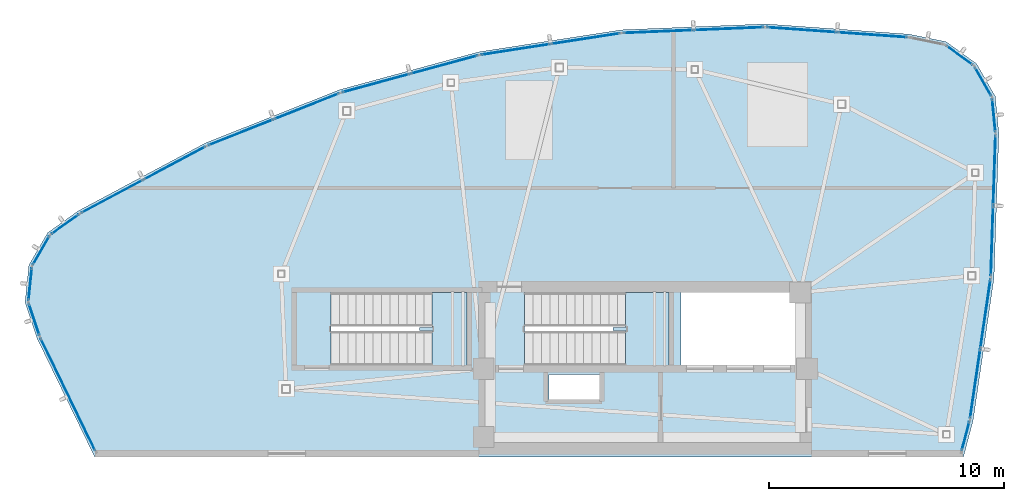
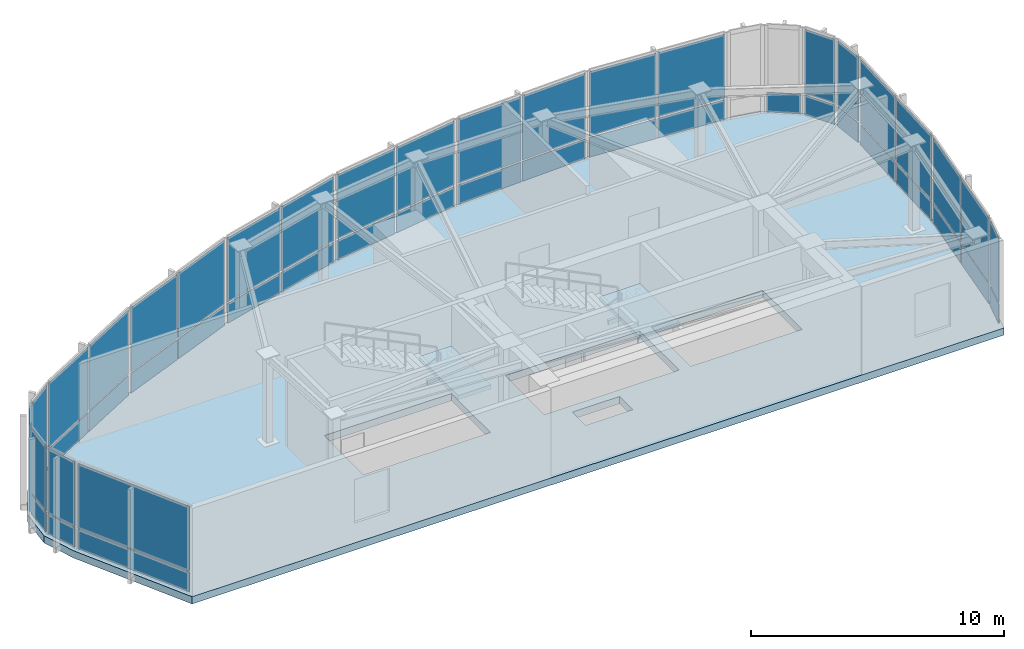
# One storey, part 5 of 10: 49 plates, 3 slabs, 19 elements without a shape of their own.
"""IFC4 building model written with IfcOpenShell, lengths in metres."""

from ifc_helpers import new_model, si_unit, direction, frame, origin, origin_2d, place, context, subcontext, project, spatial, polyline, rectangle, outline, extrude, source, transform, mapped, material, layer, layer_set, type_object, type_shapes, element, aggregate, save


model = new_model("IFC4")

# Units and contexts
model_context = context("Model", 3, precision=1e-05, world=origin(), true_north=direction((0.0, 1.0)))
body_context = subcontext(model_context, "Body", "Model", "MODEL_VIEW")
ifc_project = project(units=[si_unit("LENGTHUNIT", "METRE"), si_unit("AREAUNIT", "SQUARE_METRE"), si_unit("VOLUMEUNIT", "CUBIC_METRE"), si_unit("PLANEANGLEUNIT", "RADIAN"), si_unit("MASSUNIT", "GRAM", prefix="KILO")], contexts=[model_context])

# Site, building, storey
site_placement = place(None, origin())
site = spatial("IfcSite", under=ifc_project, at=site_placement, CompositionType="ELEMENT")
building_placement = place(site_placement, origin())
building = spatial("IfcBuilding", under=site, at=building_placement, Name="Tavelor Broadcast Tower", CompositionType="ELEMENT")
storey_placement = place(building_placement, frame((0.0, 0.0, 355.10009765625)))
storey = spatial("IfcBuildingStorey", under=building, at=storey_placement, Name="L84", CompositionType="ELEMENT", Elevation=355.10009765625)

# Slab
ifc_material_1 = material(Name="Concrete C40/50", Category="concrete")
ifc_layer_1 = layer(ifc_material_1, 0.35009765625)
ifc_layer_set_1 = layer_set([ifc_layer_1], Name="Concrete C40/50")
slab_type_1 = type_object("IfcSlabType", Name="Podium Structural Floor Slab 350 mm", PredefinedType="FLOOR", material=ifc_layer_set_1)
slab_1_placement = place(storey_placement, frame((0.0, 0.0, -0.35009765625)))
element("IfcSlab", 1, at=slab_1_placement, inside=storey, type_object=slab_type_1, Name="L84 Crown Peak A Floor Slab", PredefinedType="FLOOR", context=body_context, shape_type="SweptSolid", body=[
    extrude(outline(polyline([(26.531494140625, 44.199951171875), (63.558349609375, 44.199951171875), (63.966064453125, 45.74462890625), (64.858642578125, 51.825439453125), (65.064697265625, 57.968017578125), (64.909912109375, 59.560791015625), (64.11328125, 60.948974609375), (62.81591796875, 61.886474609375), (61.247802734375, 62.206787109375), (55.117431640625, 62.64404296875), (48.9765625, 62.391845703125), (42.902587890625, 61.453369140625), (36.97216796875, 59.84033203125), (31.259765625, 57.572998046875), (25.837158203125, 54.679931640625), (24.534912109375, 53.74951171875), (23.731201171875, 52.365478515625), (23.568115234375, 50.7734375), (24.074462890625, 49.255126953125), (26.531494140625, 44.199951171875)]), holes=[polyline([(48.050048828125, 47.699951171875), (48.050048828125, 46.64990234375), (45.89990234375, 46.64990234375), (45.89990234375, 47.699951171875), (48.050048828125, 47.699951171875)]), polyline([(42.39599609375, 51.196044921875), (42.39599609375, 48.10400390625), (36.60400390625, 48.10400390625), (36.60400390625, 51.196044921875), (42.39599609375, 51.196044921875)]), polyline([(50.99609375, 51.196044921875), (50.99609375, 48.10400390625), (44.85400390625, 48.10400390625), (44.85400390625, 51.196044921875), (50.99609375, 51.196044921875)]), polyline([(56.60009765625, 51.199951171875), (56.60009765625, 48.10009765625), (51.52001953125, 48.10009765625), (51.52001953125, 51.199951171875), (56.60009765625, 51.199951171875)])]), origin(), (0.0, 0.0, 1.0), 0.35009765625),
])

# Stair, slab
stair_type = type_object("IfcStairType", Name="Reinforced Concrete Protected Dogleg Stair 1450 mm", PredefinedType="HALF_TURN_STAIR", material=ifc_material_1)
stair_1_placement = place(storey_placement, origin())
stair_1 = element("IfcStair", 2, at=stair_1_placement, inside=storey, type_object=stair_type, Name="L84 Protected Core Exit Stair ST1", PredefinedType="HALF_TURN_STAIR")
ifc_layer_2 = layer(ifc_material_1, 0.199951171875)
ifc_layer_set_2 = layer_set([ifc_layer_2], Name="Concrete C40/50")
slab_type_2 = type_object("IfcSlabType", Name="Reinforced Concrete Stair Half-Landing Slab 200 mm", PredefinedType="LANDING", material=ifc_layer_set_2)
slab_2_placement = place(storey_placement, frame((0.0, 0.0, 2.099853515625)))
slab_2 = element("IfcSlab", 3, at=slab_2_placement, type_object=slab_type_2, Name="ST1 landing 1", PredefinedType="LANDING", context=body_context, shape_type="SweptSolid", body=[
    extrude(outline(polyline([(49.1650390625, 49.590087890625), (49.1650390625, 48.094970703125), (51.0048828125, 48.094970703125), (51.0048828125, 51.205078125), (49.1650390625, 51.205078125), (49.1650390625, 49.7099609375), (48.625, 49.7099609375), (48.625, 49.590087890625), (49.1650390625, 49.590087890625)])), origin(), (0.0, 0.0, 1.0), 0.199951171875),
])
aggregate(stair_1, [slab_2])

stair_2_placement = place(storey_placement, origin())
stair_2 = element("IfcStair", 4, at=stair_2_placement, inside=storey, type_object=stair_type, Name="L84 Crown Peak A Plant Stair ST5", PredefinedType="HALF_TURN_STAIR")
slab_3_placement = place(storey_placement, frame((0.0, 0.0, 2.099853515625)))
slab_3 = element("IfcSlab", 5, at=slab_3_placement, type_object=slab_type_2, Name="ST5 landing 1", PredefinedType="LANDING", context=body_context, shape_type="SweptSolid", body=[
    extrude(outline(polyline([(40.9150390625, 49.590087890625), (40.9150390625, 48.094970703125), (42.405029296875, 48.094970703125), (42.405029296875, 51.205078125), (40.9150390625, 51.205078125), (40.9150390625, 49.7099609375), (40.375, 49.7099609375), (40.375, 49.590087890625), (40.9150390625, 49.590087890625)])), origin(), (0.0, 0.0, 1.0), 0.199951171875),
])
aggregate(stair_2, [slab_3])

# Curtain wall, plates
ifc_material_2 = material(Name="Architectural Anodized Aluminium", Category="aluminium")
ifc_layer_3 = layer(ifc_material_2, 0.2099609375)
ifc_layer_set_3 = layer_set([ifc_layer_3], Name="Architectural Anodized Aluminium")
curtain_wall_type = type_object("IfcCurtainWallType", Name="Split-Crown Beacon Curtain Wall CW06", PredefinedType="NOTDEFINED", material=ifc_layer_set_3)
curtain_wall_1_placement = place(storey_placement, origin())
curtain_wall_1 = element("IfcCurtainWall", 6, at=curtain_wall_1_placement, inside=storey, type_object=curtain_wall_type, Name="L84 Curtain Wall CW06 Run 991", PredefinedType="NOTDEFINED")
ifc_material_3 = material(Name="Dichroic Solar Laminated Glazing 34 mm", Category="glass")
ifc_layer_4 = layer(ifc_material_3, 0.033935546875)
ifc_layer_set_4 = layer_set([ifc_layer_4], Name="Dichroic Solar Laminated Glazing 34 mm")
plate_type = type_object("IfcPlateType", Name="CW06 Insulated Vision Glazing Panel 34 mm", PredefinedType="CURTAIN_PANEL", material=ifc_layer_set_4)
shared_shape_1 = source(origin(), body_context, "Body", "SweptSolid", [
    extrude(rectangle(XDim=2.94140625, YDim=0.033935546875, at=origin_2d()), origin(), (0.0, 0.0, 1.0), 0.94189453125),
])
plate_1_placement = place(storey_placement, frame((64.771240234375, 53.394775390625, 0.072021484375), z_axis=(0.0, 0.0, 1.0), x_axis=(0.033513547637, 0.999438263288, 0.0)))
plate_1 = element("IfcPlate", 7, at=plate_1_placement, type_object=plate_type, Name="CW06 panel 1.1", PredefinedType="CURTAIN_PANEL", context=body_context, shape_type="MappedRepresentation", body=[
    mapped(shared_shape_1, transform((0.0, 0.0, 0.0), scale=1.0)),
])
plate_2_placement = place(storey_placement, frame((64.872314453125, 56.406494140625, 0.072021484375), z_axis=(0.0, 0.0, 1.0), x_axis=(0.033513547637, 0.999438263288, 0.0)))
plate_2 = element("IfcPlate", 8, at=plate_2_placement, type_object=plate_type, Name="CW06 panel 2.1", PredefinedType="CURTAIN_PANEL", context=body_context, shape_type="MappedRepresentation", body=[
    mapped(shared_shape_1, transform((0.0, 0.0, 0.0), scale=1.0)),
])

curtain_wall_2_placement = place(storey_placement, origin())
curtain_wall_2 = element("IfcCurtainWall", 9, at=curtain_wall_2_placement, inside=storey, type_object=curtain_wall_type, Name="L84 Curtain Wall CW06 Run 996", PredefinedType="NOTDEFINED")
plate_3_placement = place(storey_placement, frame((59.675048828125, 62.1787109375, 0.072021484375), z_axis=(0.0, 0.0, 1.0), x_axis=(-0.997466184869, 0.071142181875, 0.0)))
plate_3 = element("IfcPlate", 10, at=plate_3_placement, type_object=plate_type, Name="CW06 panel 1.1", PredefinedType="CURTAIN_PANEL", context=body_context, shape_type="MappedRepresentation", body=[
    mapped(shared_shape_1, transform((0.0, 0.0, 0.0), scale=1.0)),
])
plate_4_placement = place(storey_placement, frame((56.669189453125, 62.39306640625, 0.072021484375), z_axis=(0.0, 0.0, 1.0), x_axis=(-0.997466184869, 0.071142181875, 0.0)))
plate_4 = element("IfcPlate", 11, at=plate_4_placement, type_object=plate_type, Name="CW06 panel 2.1", PredefinedType="CURTAIN_PANEL", context=body_context, shape_type="MappedRepresentation", body=[
    mapped(shared_shape_1, transform((0.0, 0.0, 0.0), scale=1.0)),
])

curtain_wall_3_placement = place(storey_placement, origin())
curtain_wall_3 = element("IfcCurtainWall", 12, at=curtain_wall_3_placement, inside=storey, type_object=curtain_wall_type, Name="L84 Curtain Wall CW06 Run 1001", PredefinedType="NOTDEFINED")
plate_5_placement = place(storey_placement, frame((29.9443359375, 56.71240234375, 0.072021484375), z_axis=(0.0, 0.0, 1.0), x_axis=(-0.882286213561, -0.470713328216, 0.0)))
plate_5 = element("IfcPlate", 13, at=plate_5_placement, type_object=plate_type, Name="CW06 panel 1.1", PredefinedType="CURTAIN_PANEL", context=body_context, shape_type="MappedRepresentation", body=[
    mapped(shared_shape_1, transform((0.0, 0.0, 0.0), scale=1.0)),
])
plate_6_placement = place(storey_placement, frame((27.285400390625, 55.2939453125, 0.072021484375), z_axis=(0.0, 0.0, 1.0), x_axis=(-0.882286213561, -0.470713328216, 0.0)))
plate_6 = element("IfcPlate", 14, at=plate_6_placement, type_object=plate_type, Name="CW06 panel 2.1", PredefinedType="CURTAIN_PANEL", context=body_context, shape_type="MappedRepresentation", body=[
    mapped(shared_shape_1, transform((0.0, 0.0, 0.0), scale=1.0)),
])

# Plate
shared_shape_2 = source(origin(), body_context, "Body", "SweptSolid", [
    extrude(rectangle(XDim=2.94140625, YDim=0.033935546875, at=origin_2d()), origin(), (0.0, 0.0, 1.0), 3.092041015625),
])
plate_7_placement = place(storey_placement, frame((64.771240234375, 53.394775390625, 1.0859375), z_axis=(0.0, 0.0, 1.0), x_axis=(0.033513547637, 0.999438263288, 0.0)))
plate_7 = element("IfcPlate", 15, at=plate_7_placement, type_object=plate_type, Name="CW06 panel 1.2", PredefinedType="CURTAIN_PANEL", context=body_context, shape_type="MappedRepresentation", body=[
    mapped(shared_shape_2, transform((0.0, 0.0, 0.0), scale=1.0)),
])

plate_8_placement = place(storey_placement, frame((64.872314453125, 56.406494140625, 1.0859375), z_axis=(0.0, 0.0, 1.0), x_axis=(0.033513547637, 0.999438263288, 0.0)))
plate_8 = element("IfcPlate", 16, at=plate_8_placement, type_object=plate_type, Name="CW06 panel 2.2", PredefinedType="CURTAIN_PANEL", context=body_context, shape_type="MappedRepresentation", body=[
    mapped(shared_shape_2, transform((0.0, 0.0, 0.0), scale=1.0)),
])

aggregate(curtain_wall_1, [plate_1, plate_7, plate_2, plate_8])

plate_9_placement = place(storey_placement, frame((59.675048828125, 62.1787109375, 1.0859375), z_axis=(0.0, 0.0, 1.0), x_axis=(-0.997466184869, 0.071142181875, 0.0)))
plate_9 = element("IfcPlate", 17, at=plate_9_placement, type_object=plate_type, Name="CW06 panel 1.2", PredefinedType="CURTAIN_PANEL", context=body_context, shape_type="MappedRepresentation", body=[
    mapped(shared_shape_2, transform((0.0, 0.0, 0.0), scale=1.0)),
])

plate_10_placement = place(storey_placement, frame((56.669189453125, 62.39306640625, 1.0859375), z_axis=(0.0, 0.0, 1.0), x_axis=(-0.997466184869, 0.071142181875, 0.0)))
plate_10 = element("IfcPlate", 18, at=plate_10_placement, type_object=plate_type, Name="CW06 panel 2.2", PredefinedType="CURTAIN_PANEL", context=body_context, shape_type="MappedRepresentation", body=[
    mapped(shared_shape_2, transform((0.0, 0.0, 0.0), scale=1.0)),
])

aggregate(curtain_wall_2, [plate_3, plate_9, plate_4, plate_10])

plate_11_placement = place(storey_placement, frame((29.9443359375, 56.71240234375, 1.0859375), z_axis=(0.0, 0.0, 1.0), x_axis=(-0.882286213561, -0.470713328216, 0.0)))
plate_11 = element("IfcPlate", 19, at=plate_11_placement, type_object=plate_type, Name="CW06 panel 1.2", PredefinedType="CURTAIN_PANEL", context=body_context, shape_type="MappedRepresentation", body=[
    mapped(shared_shape_2, transform((0.0, 0.0, 0.0), scale=1.0)),
])

plate_12_placement = place(storey_placement, frame((27.285400390625, 55.2939453125, 1.0859375), z_axis=(0.0, 0.0, 1.0), x_axis=(-0.882286213561, -0.470713328216, 0.0)))
plate_12 = element("IfcPlate", 20, at=plate_12_placement, type_object=plate_type, Name="CW06 panel 2.2", PredefinedType="CURTAIN_PANEL", context=body_context, shape_type="MappedRepresentation", body=[
    mapped(shared_shape_2, transform((0.0, 0.0, 0.0), scale=1.0)),
])

aggregate(curtain_wall_3, [plate_5, plate_11, plate_6, plate_12])

# Curtain wall, plate
curtain_wall_4_placement = place(storey_placement, origin())
curtain_wall_4 = element("IfcCurtainWall", 21, at=curtain_wall_4_placement, inside=storey, type_object=curtain_wall_type, Name="L84 Curtain Wall CW06 Run 992", PredefinedType="NOTDEFINED")
shared_shape_3 = source(origin(), body_context, "Body", "SweptSolid", [
    extrude(rectangle(XDim=1.38720703125, YDim=0.033935546875, at=origin_2d()), origin(), (0.0, 0.0, 1.0), 0.94189453125),
])
plate_13_placement = place(storey_placement, frame((64.848876953125, 58.740478515625, 0.072021484375), z_axis=(0.0, 0.0, 1.0), x_axis=(-0.096722842222, 0.995311354196, 0.0)))
plate_13 = element("IfcPlate", 22, at=plate_13_placement, type_object=plate_type, Name="CW06 panel 1.1", PredefinedType="CURTAIN_PANEL", context=body_context, shape_type="MappedRepresentation", body=[
    mapped(shared_shape_3, transform((0.0, 0.0, 0.0), scale=1.0)),
])

curtain_wall_5_placement = place(storey_placement, origin())
curtain_wall_5 = element("IfcCurtainWall", 23, at=curtain_wall_5_placement, inside=storey, type_object=curtain_wall_type, Name="L84 Curtain Wall CW06 Run 1002", PredefinedType="NOTDEFINED")
plate_14_placement = place(storey_placement, frame((25.27587890625, 54.10693359375, 0.072021484375), z_axis=(0.0, 0.0, 1.0), x_axis=(-0.813596656634, -0.581429686474, 0.0)))
plate_14 = element("IfcPlate", 24, at=plate_14_placement, type_object=plate_type, Name="CW06 panel 1.1", PredefinedType="CURTAIN_PANEL", context=body_context, shape_type="MappedRepresentation", body=[
    mapped(shared_shape_3, transform((0.0, 0.0, 0.0), scale=1.0)),
])

curtain_wall_6_placement = place(storey_placement, origin())
curtain_wall_6 = element("IfcCurtainWall", 25, at=curtain_wall_6_placement, inside=storey, type_object=curtain_wall_type, Name="L84 Curtain Wall CW06 Run 1005", PredefinedType="NOTDEFINED")
plate_15_placement = place(storey_placement, frame((23.95751953125, 50.048583984375, 0.072021484375), z_axis=(0.0, 0.0, 1.0), x_axis=(0.316482455738, -0.948598363487, 0.0)))
plate_15 = element("IfcPlate", 26, at=plate_15_placement, type_object=plate_type, Name="CW06 panel 1.1", PredefinedType="CURTAIN_PANEL", context=body_context, shape_type="MappedRepresentation", body=[
    mapped(shared_shape_3, transform((0.0, 0.0, 0.0), scale=1.0)),
])

# Plate
shared_shape_4 = source(origin(), body_context, "Body", "SweptSolid", [
    extrude(rectangle(XDim=1.38720703125, YDim=0.033935546875, at=origin_2d()), origin(), (0.0, 0.0, 1.0), 3.092041015625),
])
plate_16_placement = place(storey_placement, frame((64.848876953125, 58.740478515625, 1.0859375), z_axis=(0.0, 0.0, 1.0), x_axis=(-0.096722842222, 0.995311354196, 0.0)))
plate_16 = element("IfcPlate", 27, at=plate_16_placement, type_object=plate_type, Name="CW06 panel 1.2", PredefinedType="CURTAIN_PANEL", context=body_context, shape_type="MappedRepresentation", body=[
    mapped(shared_shape_4, transform((0.0, 0.0, 0.0), scale=1.0)),
])

aggregate(curtain_wall_4, [plate_13, plate_16])

plate_17_placement = place(storey_placement, frame((25.27587890625, 54.10693359375, 1.0859375), z_axis=(0.0, 0.0, 1.0), x_axis=(-0.813596656634, -0.581429686474, 0.0)))
plate_17 = element("IfcPlate", 28, at=plate_17_placement, type_object=plate_type, Name="CW06 panel 1.2", PredefinedType="CURTAIN_PANEL", context=body_context, shape_type="MappedRepresentation", body=[
    mapped(shared_shape_4, transform((0.0, 0.0, 0.0), scale=1.0)),
])

aggregate(curtain_wall_5, [plate_14, plate_17])

plate_18_placement = place(storey_placement, frame((23.95751953125, 50.048583984375, 1.0859375), z_axis=(0.0, 0.0, 1.0), x_axis=(0.316482455738, -0.948598363487, 0.0)))
plate_18 = element("IfcPlate", 29, at=plate_18_placement, type_object=plate_type, Name="CW06 panel 1.2", PredefinedType="CURTAIN_PANEL", context=body_context, shape_type="MappedRepresentation", body=[
    mapped(shared_shape_4, transform((0.0, 0.0, 0.0), scale=1.0)),
])

aggregate(curtain_wall_6, [plate_15, plate_18])

# Curtain wall, plate
curtain_wall_7_placement = place(storey_placement, origin())
curtain_wall_7 = element("IfcCurtainWall", 30, at=curtain_wall_7_placement, inside=storey, type_object=curtain_wall_type, Name="L84 Curtain Wall CW06 Run 993", PredefinedType="NOTDEFINED")
shared_shape_5 = source(origin(), body_context, "Body", "SweptSolid", [
    extrude(rectangle(XDim=1.3662109375, YDim=0.033935546875, at=origin_2d()), origin(), (0.0, 0.0, 1.0), 0.94189453125),
])
plate_19_placement = place(storey_placement, frame((64.39013671875, 60.185302734375, 0.072021484375), z_axis=(0.0, 0.0, 1.0), x_axis=(-0.497756838905, 0.867316625762, 0.0)))
plate_19 = element("IfcPlate", 31, at=plate_19_placement, type_object=plate_type, Name="CW06 panel 1.1", PredefinedType="CURTAIN_PANEL", context=body_context, shape_type="MappedRepresentation", body=[
    mapped(shared_shape_5, transform((0.0, 0.0, 0.0), scale=1.0)),
])

curtain_wall_8_placement = place(storey_placement, origin())
curtain_wall_8 = element("IfcCurtainWall", 32, at=curtain_wall_8_placement, inside=storey, type_object=curtain_wall_type, Name="L84 Curtain Wall CW06 Run 994", PredefinedType="NOTDEFINED")
plate_20_placement = place(storey_placement, frame((63.382568359375, 61.30419921875, 0.072021484375), z_axis=(0.0, 0.0, 1.0), x_axis=(-0.810544761221, 0.585676694138, 0.0)))
plate_20 = element("IfcPlate", 33, at=plate_20_placement, type_object=plate_type, Name="CW06 panel 1.1", PredefinedType="CURTAIN_PANEL", context=body_context, shape_type="MappedRepresentation", body=[
    mapped(shared_shape_5, transform((0.0, 0.0, 0.0), scale=1.0)),
])
aggregate(curtain_wall_8, [plate_20])

curtain_wall_9_placement = place(storey_placement, origin())
curtain_wall_9 = element("IfcCurtainWall", 34, at=curtain_wall_9_placement, inside=storey, type_object=curtain_wall_type, Name="L84 Curtain Wall CW06 Run 1003", PredefinedType="NOTDEFINED")
plate_21_placement = place(storey_placement, frame((24.254150390625, 52.9873046875, 0.072021484375), z_axis=(0.0, 0.0, 1.0), x_axis=(-0.502330397094, -0.864675761286, 0.0)))
plate_21 = element("IfcPlate", 35, at=plate_21_placement, type_object=plate_type, Name="CW06 panel 1.1", PredefinedType="CURTAIN_PANEL", context=body_context, shape_type="MappedRepresentation", body=[
    mapped(shared_shape_5, transform((0.0, 0.0, 0.0), scale=1.0)),
])

curtain_wall_10_placement = place(storey_placement, origin())
curtain_wall_10 = element("IfcCurtainWall", 36, at=curtain_wall_10_placement, inside=storey, type_object=curtain_wall_type, Name="L84 Curtain Wall CW06 Run 1004", PredefinedType="NOTDEFINED")
plate_22_placement = place(storey_placement, frame((23.788818359375, 51.55517578125, 0.072021484375), z_axis=(0.0, 0.0, 1.0), x_axis=(-0.101902856201, -0.994794354577, 0.0)))
plate_22 = element("IfcPlate", 37, at=plate_22_placement, type_object=plate_type, Name="CW06 panel 1.1", PredefinedType="CURTAIN_PANEL", context=body_context, shape_type="MappedRepresentation", body=[
    mapped(shared_shape_5, transform((0.0, 0.0, 0.0), scale=1.0)),
])

# Plate
shared_shape_6 = source(origin(), body_context, "Body", "SweptSolid", [
    extrude(rectangle(XDim=1.3662109375, YDim=0.033935546875, at=origin_2d()), origin(), (0.0, 0.0, 1.0), 3.092041015625),
])
plate_23_placement = place(storey_placement, frame((64.39013671875, 60.185302734375, 1.0859375), z_axis=(0.0, 0.0, 1.0), x_axis=(-0.497756838905, 0.867316625762, 0.0)))
plate_23 = element("IfcPlate", 38, at=plate_23_placement, type_object=plate_type, Name="CW06 panel 1.2", PredefinedType="CURTAIN_PANEL", context=body_context, shape_type="MappedRepresentation", body=[
    mapped(shared_shape_6, transform((0.0, 0.0, 0.0), scale=1.0)),
])

aggregate(curtain_wall_7, [plate_19, plate_23])

plate_24_placement = place(storey_placement, frame((24.254150390625, 52.9873046875, 1.0859375), z_axis=(0.0, 0.0, 1.0), x_axis=(-0.502330397094, -0.864675761286, 0.0)))
plate_24 = element("IfcPlate", 39, at=plate_24_placement, type_object=plate_type, Name="CW06 panel 1.2", PredefinedType="CURTAIN_PANEL", context=body_context, shape_type="MappedRepresentation", body=[
    mapped(shared_shape_6, transform((0.0, 0.0, 0.0), scale=1.0)),
])

aggregate(curtain_wall_9, [plate_21, plate_24])

plate_25_placement = place(storey_placement, frame((23.788818359375, 51.55517578125, 1.0859375), z_axis=(0.0, 0.0, 1.0), x_axis=(-0.101902856201, -0.994794354577, 0.0)))
plate_25 = element("IfcPlate", 40, at=plate_25_placement, type_object=plate_type, Name="CW06 panel 1.2", PredefinedType="CURTAIN_PANEL", context=body_context, shape_type="MappedRepresentation", body=[
    mapped(shared_shape_6, transform((0.0, 0.0, 0.0), scale=1.0)),
])

aggregate(curtain_wall_10, [plate_22, plate_25])

# Curtain wall, plates
curtain_wall_11_placement = place(storey_placement, origin())
curtain_wall_11 = element("IfcCurtainWall", 41, at=curtain_wall_11_placement, inside=storey, type_object=curtain_wall_type, Name="L84 Curtain Wall CW06 Run 990", PredefinedType="NOTDEFINED")
shared_shape_7 = source(origin(), body_context, "Body", "SweptSolid", [
    extrude(rectangle(XDim=2.942138671875, YDim=0.033935546875, at=origin_2d()), origin(), (0.0, 0.0, 1.0), 0.94189453125),
])
plate_26_placement = place(storey_placement, frame((64.054931640625, 47.314208984375, 0.072021484375), z_axis=(0.0, 0.0, 1.0), x_axis=(0.145257545382, 0.989393877841, 0.0)))
plate_26 = element("IfcPlate", 42, at=plate_26_placement, type_object=plate_type, Name="CW06 panel 1.1", PredefinedType="CURTAIN_PANEL", context=body_context, shape_type="MappedRepresentation", body=[
    mapped(shared_shape_7, transform((0.0, 0.0, 0.0), scale=1.0)),
])
plate_27_placement = place(storey_placement, frame((64.49267578125, 50.29638671875, 0.072021484375), z_axis=(0.0, 0.0, 1.0), x_axis=(0.145257545382, 0.989393877841, 0.0)))
plate_27 = element("IfcPlate", 43, at=plate_27_placement, type_object=plate_type, Name="CW06 panel 2.1", PredefinedType="CURTAIN_PANEL", context=body_context, shape_type="MappedRepresentation", body=[
    mapped(shared_shape_7, transform((0.0, 0.0, 0.0), scale=1.0)),
])

curtain_wall_12_placement = place(storey_placement, origin())
curtain_wall_12 = element("IfcCurtainWall", 44, at=curtain_wall_12_placement, inside=storey, type_object=curtain_wall_type, Name="L84 Curtain Wall CW06 Run 997", PredefinedType="NOTDEFINED")
plate_28_placement = place(storey_placement, frame((53.55859375, 62.43994140625, 0.072021484375), z_axis=(0.0, 0.0, 1.0), x_axis=(-0.999157893674, -0.041030519226, 0.0)))
plate_28 = element("IfcPlate", 45, at=plate_28_placement, type_object=plate_type, Name="CW06 panel 1.1", PredefinedType="CURTAIN_PANEL", context=body_context, shape_type="MappedRepresentation", body=[
    mapped(shared_shape_7, transform((0.0, 0.0, 0.0), scale=1.0)),
])
plate_29_placement = place(storey_placement, frame((50.546875, 62.31640625, 0.072021484375), z_axis=(0.0, 0.0, 1.0), x_axis=(-0.999157893674, -0.041030519226, 0.0)))
plate_29 = element("IfcPlate", 46, at=plate_29_placement, type_object=plate_type, Name="CW06 panel 2.1", PredefinedType="CURTAIN_PANEL", context=body_context, shape_type="MappedRepresentation", body=[
    mapped(shared_shape_7, transform((0.0, 0.0, 0.0), scale=1.0)),
])

curtain_wall_13_placement = place(storey_placement, origin())
curtain_wall_13 = element("IfcCurtainWall", 47, at=curtain_wall_13_placement, inside=storey, type_object=curtain_wall_type, Name="L84 Curtain Wall CW06 Run 998", PredefinedType="NOTDEFINED")
plate_30_placement = place(storey_placement, frame((47.450439453125, 62.014404296875, 0.072021484375), z_axis=(0.0, 0.0, 1.0), x_axis=(-0.988270279529, -0.15271494557, 0.0)))
plate_30 = element("IfcPlate", 48, at=plate_30_placement, type_object=plate_type, Name="CW06 panel 1.1", PredefinedType="CURTAIN_PANEL", context=body_context, shape_type="MappedRepresentation", body=[
    mapped(shared_shape_7, transform((0.0, 0.0, 0.0), scale=1.0)),
])
plate_31_placement = place(storey_placement, frame((44.4716796875, 61.553955078125, 0.072021484375), z_axis=(0.0, 0.0, 1.0), x_axis=(-0.988270279529, -0.15271494557, 0.0)))
plate_31 = element("IfcPlate", 49, at=plate_31_placement, type_object=plate_type, Name="CW06 panel 2.1", PredefinedType="CURTAIN_PANEL", context=body_context, shape_type="MappedRepresentation", body=[
    mapped(shared_shape_7, transform((0.0, 0.0, 0.0), scale=1.0)),
])

curtain_wall_14_placement = place(storey_placement, origin())
curtain_wall_14 = element("IfcCurtainWall", 50, at=curtain_wall_14_placement, inside=storey, type_object=curtain_wall_type, Name="L84 Curtain Wall CW06 Run 999", PredefinedType="NOTDEFINED")
plate_32_placement = place(storey_placement, frame((41.428466796875, 60.9072265625, 0.072021484375), z_axis=(0.0, 0.0, 1.0), x_axis=(-0.964945927984, -0.262448768463, 0.0)))
plate_32 = element("IfcPlate", 51, at=plate_32_placement, type_object=plate_type, Name="CW06 panel 1.1", PredefinedType="CURTAIN_PANEL", context=body_context, shape_type="MappedRepresentation", body=[
    mapped(shared_shape_7, transform((0.0, 0.0, 0.0), scale=1.0)),
])
plate_33_placement = place(storey_placement, frame((38.52001953125, 60.1162109375, 0.072021484375), z_axis=(0.0, 0.0, 1.0), x_axis=(-0.964945927984, -0.262448768463, 0.0)))
plate_33 = element("IfcPlate", 52, at=plate_33_placement, type_object=plate_type, Name="CW06 panel 2.1", PredefinedType="CURTAIN_PANEL", context=body_context, shape_type="MappedRepresentation", body=[
    mapped(shared_shape_7, transform((0.0, 0.0, 0.0), scale=1.0)),
])

curtain_wall_15_placement = place(storey_placement, origin())
curtain_wall_15 = element("IfcCurtainWall", 53, at=curtain_wall_15_placement, inside=storey, type_object=curtain_wall_type, Name="L84 Curtain Wall CW06 Run 1000", PredefinedType="NOTDEFINED")
plate_34_placement = place(storey_placement, frame((35.568359375, 59.132568359375, 0.072021484375), z_axis=(0.0, 0.0, 1.0), x_axis=(-0.9294682292, -0.368902169833, 0.0)))
plate_34 = element("IfcPlate", 54, at=plate_34_placement, type_object=plate_type, Name="CW06 panel 1.1", PredefinedType="CURTAIN_PANEL", context=body_context, shape_type="MappedRepresentation", body=[
    mapped(shared_shape_7, transform((0.0, 0.0, 0.0), scale=1.0)),
])
plate_35_placement = place(storey_placement, frame((32.766845703125, 58.0205078125, 0.072021484375), z_axis=(0.0, 0.0, 1.0), x_axis=(-0.9294682292, -0.368902169833, 0.0)))
plate_35 = element("IfcPlate", 55, at=plate_35_placement, type_object=plate_type, Name="CW06 panel 2.1", PredefinedType="CURTAIN_PANEL", context=body_context, shape_type="MappedRepresentation", body=[
    mapped(shared_shape_7, transform((0.0, 0.0, 0.0), scale=1.0)),
])

# Plate
shared_shape_8 = source(origin(), body_context, "Body", "SweptSolid", [
    extrude(rectangle(XDim=2.942138671875, YDim=0.033935546875, at=origin_2d()), origin(), (0.0, 0.0, 1.0), 3.092041015625),
])
plate_36_placement = place(storey_placement, frame((64.054931640625, 47.314208984375, 1.0859375), z_axis=(0.0, 0.0, 1.0), x_axis=(0.145257545382, 0.989393877841, 0.0)))
plate_36 = element("IfcPlate", 56, at=plate_36_placement, type_object=plate_type, Name="CW06 panel 1.2", PredefinedType="CURTAIN_PANEL", context=body_context, shape_type="MappedRepresentation", body=[
    mapped(shared_shape_8, transform((0.0, 0.0, 0.0), scale=1.0)),
])

plate_37_placement = place(storey_placement, frame((64.49267578125, 50.29638671875, 1.0859375), z_axis=(0.0, 0.0, 1.0), x_axis=(0.145257545382, 0.989393877841, 0.0)))
plate_37 = element("IfcPlate", 57, at=plate_37_placement, type_object=plate_type, Name="CW06 panel 2.2", PredefinedType="CURTAIN_PANEL", context=body_context, shape_type="MappedRepresentation", body=[
    mapped(shared_shape_8, transform((0.0, 0.0, 0.0), scale=1.0)),
])

aggregate(curtain_wall_11, [plate_26, plate_36, plate_27, plate_37])

plate_38_placement = place(storey_placement, frame((53.55859375, 62.43994140625, 1.0859375), z_axis=(0.0, 0.0, 1.0), x_axis=(-0.999157893674, -0.041030519226, 0.0)))
plate_38 = element("IfcPlate", 58, at=plate_38_placement, type_object=plate_type, Name="CW06 panel 1.2", PredefinedType="CURTAIN_PANEL", context=body_context, shape_type="MappedRepresentation", body=[
    mapped(shared_shape_8, transform((0.0, 0.0, 0.0), scale=1.0)),
])

plate_39_placement = place(storey_placement, frame((50.546875, 62.31640625, 1.0859375), z_axis=(0.0, 0.0, 1.0), x_axis=(-0.999157893674, -0.041030519226, 0.0)))
plate_39 = element("IfcPlate", 59, at=plate_39_placement, type_object=plate_type, Name="CW06 panel 2.2", PredefinedType="CURTAIN_PANEL", context=body_context, shape_type="MappedRepresentation", body=[
    mapped(shared_shape_8, transform((0.0, 0.0, 0.0), scale=1.0)),
])

aggregate(curtain_wall_12, [plate_28, plate_38, plate_29, plate_39])

plate_40_placement = place(storey_placement, frame((47.450439453125, 62.014404296875, 1.0859375), z_axis=(0.0, 0.0, 1.0), x_axis=(-0.988270279529, -0.15271494557, 0.0)))
plate_40 = element("IfcPlate", 60, at=plate_40_placement, type_object=plate_type, Name="CW06 panel 1.2", PredefinedType="CURTAIN_PANEL", context=body_context, shape_type="MappedRepresentation", body=[
    mapped(shared_shape_8, transform((0.0, 0.0, 0.0), scale=1.0)),
])

plate_41_placement = place(storey_placement, frame((44.4716796875, 61.553955078125, 1.0859375), z_axis=(0.0, 0.0, 1.0), x_axis=(-0.988270279529, -0.15271494557, 0.0)))
plate_41 = element("IfcPlate", 61, at=plate_41_placement, type_object=plate_type, Name="CW06 panel 2.2", PredefinedType="CURTAIN_PANEL", context=body_context, shape_type="MappedRepresentation", body=[
    mapped(shared_shape_8, transform((0.0, 0.0, 0.0), scale=1.0)),
])

aggregate(curtain_wall_13, [plate_30, plate_40, plate_31, plate_41])

plate_42_placement = place(storey_placement, frame((41.428466796875, 60.9072265625, 1.0859375), z_axis=(0.0, 0.0, 1.0), x_axis=(-0.964945927984, -0.262448768463, 0.0)))
plate_42 = element("IfcPlate", 62, at=plate_42_placement, type_object=plate_type, Name="CW06 panel 1.2", PredefinedType="CURTAIN_PANEL", context=body_context, shape_type="MappedRepresentation", body=[
    mapped(shared_shape_8, transform((0.0, 0.0, 0.0), scale=1.0)),
])

plate_43_placement = place(storey_placement, frame((38.52001953125, 60.1162109375, 1.0859375), z_axis=(0.0, 0.0, 1.0), x_axis=(-0.964945927984, -0.262448768463, 0.0)))
plate_43 = element("IfcPlate", 63, at=plate_43_placement, type_object=plate_type, Name="CW06 panel 2.2", PredefinedType="CURTAIN_PANEL", context=body_context, shape_type="MappedRepresentation", body=[
    mapped(shared_shape_8, transform((0.0, 0.0, 0.0), scale=1.0)),
])

aggregate(curtain_wall_14, [plate_32, plate_42, plate_33, plate_43])

plate_44_placement = place(storey_placement, frame((35.568359375, 59.132568359375, 1.0859375), z_axis=(0.0, 0.0, 1.0), x_axis=(-0.9294682292, -0.368902169833, 0.0)))
plate_44 = element("IfcPlate", 64, at=plate_44_placement, type_object=plate_type, Name="CW06 panel 1.2", PredefinedType="CURTAIN_PANEL", context=body_context, shape_type="MappedRepresentation", body=[
    mapped(shared_shape_8, transform((0.0, 0.0, 0.0), scale=1.0)),
])

plate_45_placement = place(storey_placement, frame((32.766845703125, 58.0205078125, 1.0859375), z_axis=(0.0, 0.0, 1.0), x_axis=(-0.9294682292, -0.368902169833, 0.0)))
plate_45 = element("IfcPlate", 65, at=plate_45_placement, type_object=plate_type, Name="CW06 panel 2.2", PredefinedType="CURTAIN_PANEL", context=body_context, shape_type="MappedRepresentation", body=[
    mapped(shared_shape_8, transform((0.0, 0.0, 0.0), scale=1.0)),
])

aggregate(curtain_wall_15, [plate_34, plate_44, plate_35, plate_45])

# Curtain wall, plates
curtain_wall_16_placement = place(storey_placement, origin())
curtain_wall_16 = element("IfcCurtainWall", 66, at=curtain_wall_16_placement, inside=storey, type_object=curtain_wall_type, Name="L84 Curtain Wall CW06 Run 989", PredefinedType="NOTDEFINED")
shared_shape_9 = source(origin(), body_context, "Body", "SweptSolid", [
    extrude(rectangle(XDim=1.24267578125, YDim=0.033935546875, at=origin_2d()), origin(), (0.0, 0.0, 1.0), 0.94189453125),
])
plate_46_placement = place(storey_placement, frame((63.64794921875, 45.087890625, 0.072021484375), z_axis=(0.0, 0.0, 1.0), x_axis=(0.255206696964, 0.966886519621, 0.0)))
plate_46 = element("IfcPlate", 67, at=plate_46_placement, type_object=plate_type, Name="CW06 panel 1.1", PredefinedType="CURTAIN_PANEL", context=body_context, shape_type="MappedRepresentation", body=[
    mapped(shared_shape_9, transform((0.0, 0.0, 0.0), scale=1.0)),
])
shared_shape_10 = source(origin(), body_context, "Body", "SweptSolid", [
    extrude(rectangle(XDim=1.24267578125, YDim=0.033935546875, at=origin_2d()), origin(), (0.0, 0.0, 1.0), 3.092041015625),
])
plate_47_placement = place(storey_placement, frame((63.64794921875, 45.087890625, 1.0859375), z_axis=(0.0, 0.0, 1.0), x_axis=(0.255206696964, 0.966886519621, 0.0)))
plate_47 = element("IfcPlate", 68, at=plate_47_placement, type_object=plate_type, Name="CW06 panel 1.2", PredefinedType="CURTAIN_PANEL", context=body_context, shape_type="MappedRepresentation", body=[
    mapped(shared_shape_10, transform((0.0, 0.0, 0.0), scale=1.0)),
])
aggregate(curtain_wall_16, [plate_46, plate_47])

curtain_wall_17_placement = place(storey_placement, origin())
curtain_wall_17 = element("IfcCurtainWall", 69, at=curtain_wall_17_placement, inside=storey, type_object=curtain_wall_type, Name="L84 Curtain Wall CW06 Run 1006", PredefinedType="NOTDEFINED")
shared_shape_11 = source(origin(), body_context, "Body", "SweptSolid", [
    extrude(rectangle(XDim=5.284912109375, YDim=0.033935546875, at=origin_2d()), origin(), (0.0, 0.0, 1.0), 0.94189453125),
])
plate_48_placement = place(storey_placement, frame((25.3974609375, 46.853271484375, 0.072021484375), z_axis=(0.0, 0.0, 1.0), x_axis=(0.43711303439, -0.899406579454, 0.0)))
plate_48 = element("IfcPlate", 70, at=plate_48_placement, type_object=plate_type, Name="CW06 panel 1.1", PredefinedType="CURTAIN_PANEL", context=body_context, shape_type="MappedRepresentation", body=[
    mapped(shared_shape_11, transform((0.0, 0.0, 0.0), scale=1.0)),
])
shared_shape_12 = source(origin(), body_context, "Body", "SweptSolid", [
    extrude(rectangle(XDim=5.284912109375, YDim=0.033935546875, at=origin_2d()), origin(), (0.0, 0.0, 1.0), 3.092041015625),
])
type_shapes(plate_type, [shared_shape_1, shared_shape_2, shared_shape_3, shared_shape_4, shared_shape_5, shared_shape_6, shared_shape_7, shared_shape_8, shared_shape_9, shared_shape_10, shared_shape_11, shared_shape_12])
plate_49_placement = place(storey_placement, frame((25.3974609375, 46.853271484375, 1.0859375), z_axis=(0.0, 0.0, 1.0), x_axis=(0.43711303439, -0.899406579454, 0.0)))
plate_49 = element("IfcPlate", 71, at=plate_49_placement, type_object=plate_type, Name="CW06 panel 1.2", PredefinedType="CURTAIN_PANEL", context=body_context, shape_type="MappedRepresentation", body=[
    mapped(shared_shape_12, transform((0.0, 0.0, 0.0), scale=1.0)),
])
aggregate(curtain_wall_17, [plate_48, plate_49])

save(model, "model.ifc")
